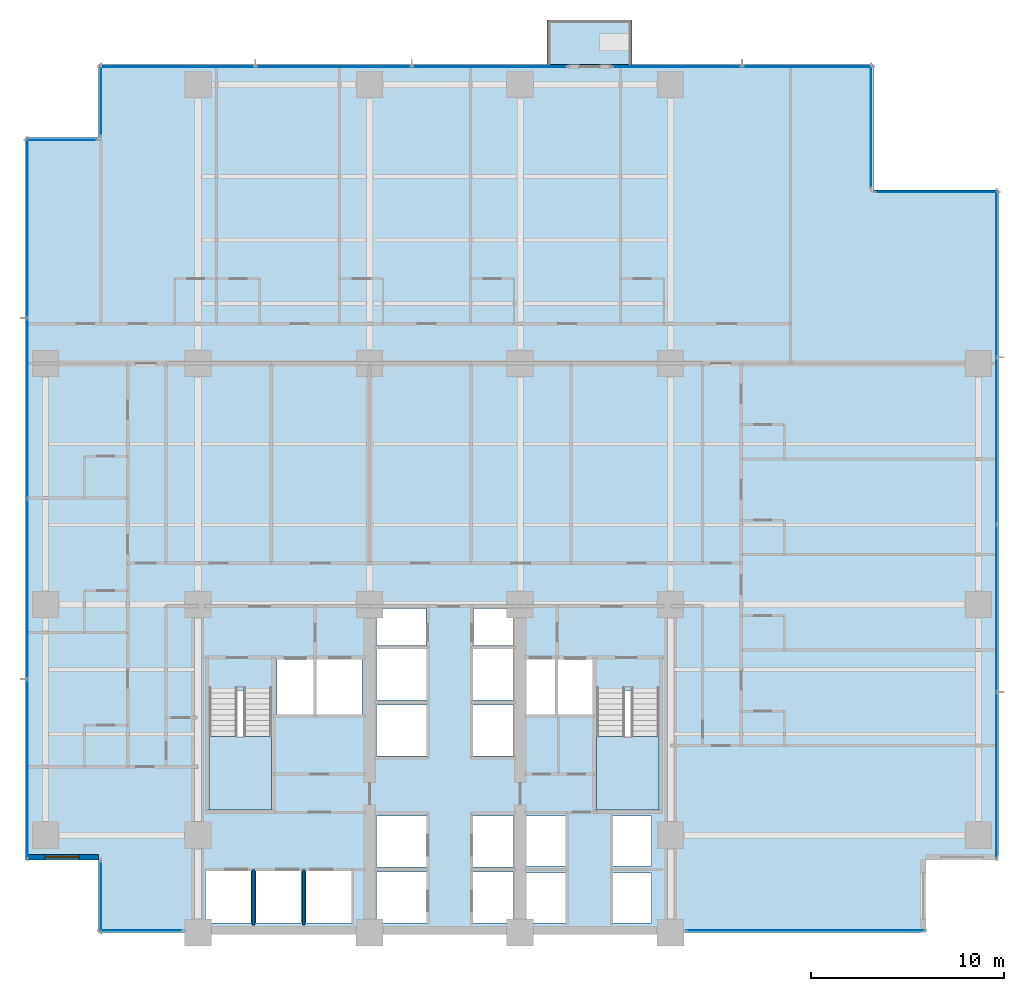
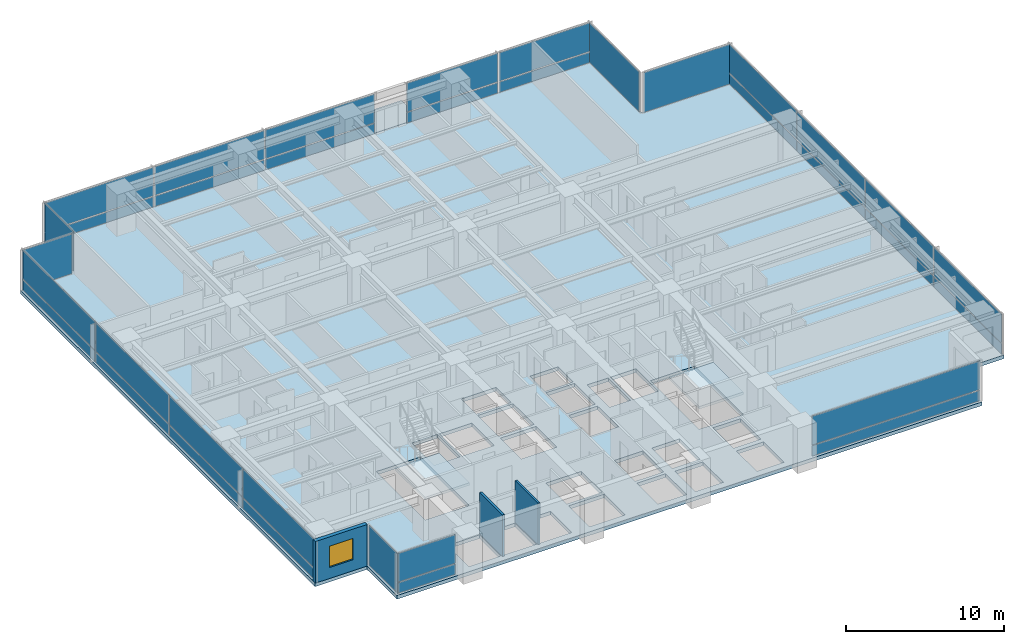
# One storey, part 6 of 17: 35 plates, 4 slabs, 3 walls, 1 window, 1 opening, 13 elements without a shape of their own.
"""IFC4 building model written with IfcOpenShell, lengths in metres."""

from ifc_helpers import new_model, si_unit, direction, frame, frame_2d, origin, origin_2d, place, context, subcontext, project, spatial, polyline, rectangle, outline, extrude, material, layer, layer_set, type_object, element, fill, aggregate, save


model = new_model("IFC4")

# Units and contexts
model_context = context("Model", 3, precision=1e-05, world=origin(), true_north=direction((0.0, 1.0)))
body_context = subcontext(model_context, "Body", "Model", "MODEL_VIEW")
ifc_project = project(units=[si_unit("LENGTHUNIT", "METRE"), si_unit("AREAUNIT", "SQUARE_METRE"), si_unit("VOLUMEUNIT", "CUBIC_METRE"), si_unit("PLANEANGLEUNIT", "RADIAN"), si_unit("MASSUNIT", "GRAM", prefix="KILO")], contexts=[model_context])

# Site, building, storey
site_placement = place(None, origin())
site = spatial("IfcSite", under=ifc_project, at=site_placement, CompositionType="ELEMENT")
building_placement = place(site_placement, origin())
building = spatial("IfcBuilding", under=site, at=building_placement, Name="Qalmaran Belvedere Hotel", CompositionType="ELEMENT")
storey_placement = place(building_placement, frame((0.0, 0.0, 40.39990234375)))
storey = spatial("IfcBuildingStorey", under=building, at=storey_placement, Name="L09", CompositionType="ELEMENT", Elevation=40.39990234375)

# Curtain wall, plate
ifc_material_1 = material(Name="Anodised Bronze Aluminium", Category="aluminium")
ifc_layer_1 = layer(ifc_material_1, 0.2099609375, Name="Anodised Bronze Aluminium")
ifc_layer_set_1 = layer_set([ifc_layer_1], Name="Anodised Bronze Aluminium")
curtain_wall_type = type_object("IfcCurtainWallType", Name="CW2-TOWER-LOWER", PredefinedType="NOTDEFINED", material=ifc_layer_set_1)
curtain_wall_1_placement = place(storey_placement, origin())
curtain_wall_1 = element("IfcCurtainWall", 1, at=curtain_wall_1_placement, inside=storey, type_object=curtain_wall_type, Name="L09 Curtain Wall CW2", PredefinedType="NOTDEFINED")
ifc_material_2 = material(Name="Anodised Bronze Spandrel Panel")
ifc_layer_2 = layer(ifc_material_2, 0.035888671875, Name="Anodised Bronze Spandrel Panel")
ifc_layer_set_2 = layer_set([ifc_layer_2], Name="Anodised Bronze Spandrel Panel")
plate_type_1 = type_object("IfcPlateType", Name="CWP-SPANDREL-36", PredefinedType="CURTAIN_PANEL", material=ifc_layer_set_2)
plate_1_placement = place(storey_placement, frame((17.35498046875, 3.6201171875, 0.0703125), z_axis=(0.0, 0.0, 1.0), x_axis=(1.0, 0.0, 0.0)))
plate_1 = element("IfcPlate", 2, at=plate_1_placement, type_object=plate_type_1, Name="CW2 panel 1.1", PredefinedType="CURTAIN_PANEL", context=body_context, shape_type="SweptSolid", body=[
    extrude(rectangle(XDim=4.260009765625, YDim=0.035888671875, at=origin_2d()), origin(), (0.0, 0.0, 1.0), 0.796630859375),
])

curtain_wall_2_placement = place(storey_placement, origin())
curtain_wall_2 = element("IfcCurtainWall", 3, at=curtain_wall_2_placement, inside=storey, type_object=curtain_wall_type, Name="L09 Curtain Wall CW2", PredefinedType="NOTDEFINED")
plate_2_placement = place(storey_placement, frame((51.77001953125, 3.6201171875, 0.0703125), z_axis=(0.0, 0.0, 1.0), x_axis=(1.0, 0.0, 0.0)))
plate_2 = element("IfcPlate", 4, at=plate_2_placement, type_object=plate_type_1, Name="CW2 panel 1.1", PredefinedType="CURTAIN_PANEL", context=body_context, shape_type="SweptSolid", body=[
    extrude(rectangle(XDim=12.31005859375, YDim=0.035888671875, at=origin_2d()), origin(), (0.0, 0.0, 1.0), 0.796630859375),
])

# Curtain wall, plates
curtain_wall_3_placement = place(storey_placement, origin())
curtain_wall_3 = element("IfcCurtainWall", 5, at=curtain_wall_3_placement, inside=storey, type_object=curtain_wall_type, Name="L09 Curtain Wall CW2", PredefinedType="NOTDEFINED")
plate_3_placement = place(storey_placement, frame((61.679931640625, 11.65625, 0.0703125), z_axis=(0.0, 0.0, 1.0), x_axis=(0.0, 1.0, 0.0)))
plate_3 = element("IfcPlate", 6, at=plate_3_placement, type_object=plate_type_1, Name="CW2 panel 1.1", PredefinedType="CURTAIN_PANEL", context=body_context, shape_type="SweptSolid", body=[
    extrude(rectangle(XDim=8.5625, YDim=0.035888671875, at=origin_2d()), origin(), (0.0, 0.0, 1.0), 0.796630859375),
])
plate_4_placement = place(storey_placement, frame((61.679931640625, 20.3125, 0.0703125), z_axis=(0.0, 0.0, 1.0), x_axis=(0.0, 1.0, 0.0)))
plate_4 = element("IfcPlate", 7, at=plate_4_placement, type_object=plate_type_1, Name="CW2 panel 2.1", PredefinedType="CURTAIN_PANEL", context=body_context, shape_type="SweptSolid", body=[
    extrude(rectangle(XDim=8.60009765625, YDim=0.035888671875, at=origin_2d()), origin(), (0.0, 0.0, 1.0), 0.796630859375),
])
plate_5_placement = place(storey_placement, frame((61.679931640625, 28.987548828125, 0.0703125), z_axis=(0.0, 0.0, 1.0), x_axis=(0.0, 1.0, 0.0)))
plate_5 = element("IfcPlate", 8, at=plate_5_placement, type_object=plate_type_1, Name="CW2 panel 3.1", PredefinedType="CURTAIN_PANEL", context=body_context, shape_type="SweptSolid", body=[
    extrude(rectangle(XDim=8.60009765625, YDim=0.035888671875, at=origin_2d()), origin(), (0.0, 0.0, 1.0), 0.796630859375),
])
plate_6_placement = place(storey_placement, frame((61.679931640625, 37.643798828125, 0.0703125), z_axis=(0.0, 0.0, 1.0), x_axis=(0.0, 1.0, 0.0)))
plate_6 = element("IfcPlate", 9, at=plate_6_placement, type_object=plate_type_1, Name="CW2 panel 4.1", PredefinedType="CURTAIN_PANEL", context=body_context, shape_type="SweptSolid", body=[
    extrude(rectangle(XDim=8.5625, YDim=0.035888671875, at=origin_2d()), origin(), (0.0, 0.0, 1.0), 0.796630859375),
])

curtain_wall_4_placement = place(storey_placement, origin())
curtain_wall_4 = element("IfcCurtainWall", 10, at=curtain_wall_4_placement, inside=storey, type_object=curtain_wall_type, Name="L09 Curtain Wall CW2", PredefinedType="NOTDEFINED")
plate_7_placement = place(storey_placement, frame((35.4228515625, 48.3798828125, 0.0703125), z_axis=(0.0, 0.0, 1.0), x_axis=(-1.0, 0.0, 0.0)))
plate_7 = element("IfcPlate", 11, at=plate_7_placement, type_object=plate_type_1, Name="CW2 panel 1.1", PredefinedType="CURTAIN_PANEL", context=body_context, shape_type="SweptSolid", body=[
    extrude(rectangle(XDim=8.004150390625, YDim=0.035888671875, at=origin_2d()), origin(), (0.0, 0.0, 1.0), 0.796630859375),
])
plate_8_placement = place(storey_placement, frame((27.324951171875, 48.3798828125, 0.0703125), z_axis=(0.0, 0.0, 1.0), x_axis=(-1.0, 0.0, 0.0)))
plate_8 = element("IfcPlate", 12, at=plate_8_placement, type_object=plate_type_1, Name="CW2 panel 2.1", PredefinedType="CURTAIN_PANEL", context=body_context, shape_type="SweptSolid", body=[
    extrude(rectangle(XDim=8.041748046875, YDim=0.035888671875, at=origin_2d()), origin(), (0.0, 0.0, 1.0), 0.796630859375),
])
plate_9_placement = place(storey_placement, frame((19.22705078125, 48.3798828125, 0.0703125), z_axis=(0.0, 0.0, 1.0), x_axis=(-1.0, 0.0, 0.0)))
plate_9 = element("IfcPlate", 13, at=plate_9_placement, type_object=plate_type_1, Name="CW2 panel 3.1", PredefinedType="CURTAIN_PANEL", context=body_context, shape_type="SweptSolid", body=[
    extrude(rectangle(XDim=8.004150390625, YDim=0.035888671875, at=origin_2d()), origin(), (0.0, 0.0, 1.0), 0.796630859375),
])

curtain_wall_5_placement = place(storey_placement, origin())
curtain_wall_5 = element("IfcCurtainWall", 14, at=curtain_wall_5_placement, inside=storey, type_object=curtain_wall_type, Name="L09 Curtain Wall CW2", PredefinedType="NOTDEFINED")
plate_10_placement = place(storey_placement, frame((51.88134765625, 48.3798828125, 0.0703125), z_axis=(0.0, 0.0, 1.0), x_axis=(-1.0, 0.0, 0.0)))
plate_10 = element("IfcPlate", 15, at=plate_10_placement, type_object=plate_type_1, Name="CW2 panel 1.1", PredefinedType="CURTAIN_PANEL", context=body_context, shape_type="SweptSolid", body=[
    extrude(rectangle(XDim=6.6875, YDim=0.035888671875, at=origin_2d()), origin(), (0.0, 0.0, 1.0), 0.796630859375),
])
plate_11_placement = place(storey_placement, frame((45.11865234375, 48.3798828125, 0.0703125), z_axis=(0.0, 0.0, 1.0), x_axis=(-1.0, 0.0, 0.0)))
plate_11 = element("IfcPlate", 16, at=plate_11_placement, type_object=plate_type_1, Name="CW2 panel 2.1", PredefinedType="CURTAIN_PANEL", context=body_context, shape_type="SweptSolid", body=[
    extrude(rectangle(XDim=6.6875, YDim=0.035888671875, at=origin_2d()), origin(), (0.0, 0.0, 1.0), 0.796630859375),
])

curtain_wall_6_placement = place(storey_placement, origin())
curtain_wall_6 = element("IfcCurtainWall", 17, at=curtain_wall_6_placement, inside=storey, type_object=curtain_wall_type, Name="L09 Curtain Wall CW2", PredefinedType="NOTDEFINED")
plate_12_placement = place(storey_placement, frame((11.469970703125, 40.00634765625, 0.0703125), z_axis=(0.0, 0.0, 1.0), x_axis=(0.0, -1.0, 0.0)))
plate_12 = element("IfcPlate", 18, at=plate_12_placement, type_object=plate_type_1, Name="CW2 panel 1.1", PredefinedType="CURTAIN_PANEL", context=body_context, shape_type="SweptSolid", body=[
    extrude(rectangle(XDim=9.237548828125, YDim=0.035888671875, at=origin_2d()), origin(), (0.0, 0.0, 1.0), 0.796630859375),
])
plate_13_placement = place(storey_placement, frame((11.469970703125, 30.675048828125, 0.0703125), z_axis=(0.0, 0.0, 1.0), x_axis=(0.0, -1.0, 0.0)))
plate_13 = element("IfcPlate", 19, at=plate_13_placement, type_object=plate_type_1, Name="CW2 panel 2.1", PredefinedType="CURTAIN_PANEL", context=body_context, shape_type="SweptSolid", body=[
    extrude(rectangle(XDim=9.27490234375, YDim=0.035888671875, at=origin_2d()), origin(), (0.0, 0.0, 1.0), 0.796630859375),
])
plate_14_placement = place(storey_placement, frame((11.469970703125, 21.324951171875, 0.0703125), z_axis=(0.0, 0.0, 1.0), x_axis=(0.0, -1.0, 0.0)))
plate_14 = element("IfcPlate", 20, at=plate_14_placement, type_object=plate_type_1, Name="CW2 panel 3.1", PredefinedType="CURTAIN_PANEL", context=body_context, shape_type="SweptSolid", body=[
    extrude(rectangle(XDim=9.27490234375, YDim=0.035888671875, at=origin_2d()), origin(), (0.0, 0.0, 1.0), 0.796630859375),
])
plate_15_placement = place(storey_placement, frame((11.469970703125, 11.99365234375, 0.0703125), z_axis=(0.0, 0.0, 1.0), x_axis=(0.0, -1.0, 0.0)))
plate_15 = element("IfcPlate", 21, at=plate_15_placement, type_object=plate_type_1, Name="CW2 panel 4.1", PredefinedType="CURTAIN_PANEL", context=body_context, shape_type="SweptSolid", body=[
    extrude(rectangle(XDim=9.237548828125, YDim=0.035888671875, at=origin_2d()), origin(), (0.0, 0.0, 1.0), 0.796630859375),
])

# Plate
ifc_material_3 = material(Name="Solar-Control Double Glazing", Category="glass")
ifc_layer_3 = layer(ifc_material_3, 0.028076171875, Name="Solar-Control Double Glazing")
ifc_layer_set_3 = layer_set([ifc_layer_3], Name="Solar-Control Double Glazing")
plate_type_2 = type_object("IfcPlateType", Name="CWP-VISION-28", PredefinedType="CURTAIN_PANEL", material=ifc_layer_set_3)
plate_16_placement = place(storey_placement, frame((17.35498046875, 3.6201171875, 0.936767578125), z_axis=(0.0, 0.0, 1.0), x_axis=(1.0, 0.0, 0.0)))
plate_16 = element("IfcPlate", 22, at=plate_16_placement, type_object=plate_type_2, Name="CW2 panel 1.2", PredefinedType="CURTAIN_PANEL", context=body_context, shape_type="SweptSolid", body=[
    extrude(rectangle(XDim=4.260009765625, YDim=0.028076171875, at=origin_2d()), origin(), (0.0, 0.0, 1.0), 2.21337890625),
])

aggregate(curtain_wall_1, [plate_1, plate_16])

plate_17_placement = place(storey_placement, frame((51.77001953125, 3.6201171875, 0.936767578125), z_axis=(0.0, 0.0, 1.0), x_axis=(1.0, 0.0, 0.0)))
plate_17 = element("IfcPlate", 23, at=plate_17_placement, type_object=plate_type_2, Name="CW2 panel 1.2", PredefinedType="CURTAIN_PANEL", context=body_context, shape_type="SweptSolid", body=[
    extrude(rectangle(XDim=12.31005859375, YDim=0.028076171875, at=origin_2d()), origin(), (0.0, 0.0, 1.0), 2.21337890625),
])

aggregate(curtain_wall_2, [plate_2, plate_17])

plate_18_placement = place(storey_placement, frame((61.679931640625, 11.65625, 0.936767578125), z_axis=(0.0, 0.0, 1.0), x_axis=(0.0, 1.0, 0.0)))
plate_18 = element("IfcPlate", 24, at=plate_18_placement, type_object=plate_type_2, Name="CW2 panel 1.2", PredefinedType="CURTAIN_PANEL", context=body_context, shape_type="SweptSolid", body=[
    extrude(rectangle(XDim=8.5625, YDim=0.028076171875, at=origin_2d()), origin(), (0.0, 0.0, 1.0), 2.21337890625),
])

plate_19_placement = place(storey_placement, frame((61.679931640625, 20.3125, 0.936767578125), z_axis=(0.0, 0.0, 1.0), x_axis=(0.0, 1.0, 0.0)))
plate_19 = element("IfcPlate", 25, at=plate_19_placement, type_object=plate_type_2, Name="CW2 panel 2.2", PredefinedType="CURTAIN_PANEL", context=body_context, shape_type="SweptSolid", body=[
    extrude(rectangle(XDim=8.60009765625, YDim=0.028076171875, at=origin_2d()), origin(), (0.0, 0.0, 1.0), 2.21337890625),
])

plate_20_placement = place(storey_placement, frame((61.679931640625, 28.987548828125, 0.936767578125), z_axis=(0.0, 0.0, 1.0), x_axis=(0.0, 1.0, 0.0)))
plate_20 = element("IfcPlate", 26, at=plate_20_placement, type_object=plate_type_2, Name="CW2 panel 3.2", PredefinedType="CURTAIN_PANEL", context=body_context, shape_type="SweptSolid", body=[
    extrude(rectangle(XDim=8.60009765625, YDim=0.028076171875, at=origin_2d()), origin(), (0.0, 0.0, 1.0), 2.21337890625),
])

plate_21_placement = place(storey_placement, frame((61.679931640625, 37.643798828125, 0.936767578125), z_axis=(0.0, 0.0, 1.0), x_axis=(0.0, 1.0, 0.0)))
plate_21 = element("IfcPlate", 27, at=plate_21_placement, type_object=plate_type_2, Name="CW2 panel 4.2", PredefinedType="CURTAIN_PANEL", context=body_context, shape_type="SweptSolid", body=[
    extrude(rectangle(XDim=8.5625, YDim=0.028076171875, at=origin_2d()), origin(), (0.0, 0.0, 1.0), 2.21337890625),
])

aggregate(curtain_wall_3, [plate_3, plate_18, plate_4, plate_19, plate_5, plate_20, plate_6, plate_21])

# Curtain wall, plate
curtain_wall_7_placement = place(storey_placement, origin())
curtain_wall_7 = element("IfcCurtainWall", 28, at=curtain_wall_7_placement, inside=storey, type_object=curtain_wall_type, Name="L09 Curtain Wall CW2", PredefinedType="NOTDEFINED")
plate_22_placement = place(storey_placement, frame((58.550048828125, 41.8798828125, 0.070068359375), z_axis=(0.0, 0.0, 1.0), x_axis=(-1.0, 0.0, 0.0)))
plate_22 = element("IfcPlate", 29, at=plate_22_placement, type_object=plate_type_2, Name="CW2 panel 1.1", PredefinedType="CURTAIN_PANEL", context=body_context, shape_type="SweptSolid", body=[
    extrude(rectangle(XDim=6.35009765625, YDim=0.028076171875, at=origin_2d()), origin(), (0.0, 0.0, 1.0), 3.080078125),
])
aggregate(curtain_wall_7, [plate_22])

curtain_wall_8_placement = place(storey_placement, origin())
curtain_wall_8 = element("IfcCurtainWall", 30, at=curtain_wall_8_placement, inside=storey, type_object=curtain_wall_type, Name="L09 Curtain Wall CW2", PredefinedType="NOTDEFINED")
plate_23_placement = place(storey_placement, frame((55.179931640625, 45.25, 0.070068359375), z_axis=(0.0, 0.0, 1.0), x_axis=(0.0, 1.0, 0.0)))
plate_23 = element("IfcPlate", 31, at=plate_23_placement, type_object=plate_type_2, Name="CW2 panel 1.1", PredefinedType="CURTAIN_PANEL", context=body_context, shape_type="SweptSolid", body=[
    extrude(rectangle(XDim=6.35009765625, YDim=0.028076171875, at=origin_2d()), origin(), (0.0, 0.0, 1.0), 3.080078125),
])
aggregate(curtain_wall_8, [plate_23])

# Plate
plate_24_placement = place(storey_placement, frame((35.4228515625, 48.3798828125, 0.936767578125), z_axis=(0.0, 0.0, 1.0), x_axis=(-1.0, 0.0, 0.0)))
plate_24 = element("IfcPlate", 32, at=plate_24_placement, type_object=plate_type_2, Name="CW2 panel 1.2", PredefinedType="CURTAIN_PANEL", context=body_context, shape_type="SweptSolid", body=[
    extrude(rectangle(XDim=8.004150390625, YDim=0.028076171875, at=origin_2d()), origin(), (0.0, 0.0, 1.0), 2.21337890625),
])

plate_25_placement = place(storey_placement, frame((27.324951171875, 48.3798828125, 0.936767578125), z_axis=(0.0, 0.0, 1.0), x_axis=(-1.0, 0.0, 0.0)))
plate_25 = element("IfcPlate", 33, at=plate_25_placement, type_object=plate_type_2, Name="CW2 panel 2.2", PredefinedType="CURTAIN_PANEL", context=body_context, shape_type="SweptSolid", body=[
    extrude(rectangle(XDim=8.041748046875, YDim=0.028076171875, at=origin_2d()), origin(), (0.0, 0.0, 1.0), 2.21337890625),
])

plate_26_placement = place(storey_placement, frame((19.22705078125, 48.3798828125, 0.936767578125), z_axis=(0.0, 0.0, 1.0), x_axis=(-1.0, 0.0, 0.0)))
plate_26 = element("IfcPlate", 34, at=plate_26_placement, type_object=plate_type_2, Name="CW2 panel 3.2", PredefinedType="CURTAIN_PANEL", context=body_context, shape_type="SweptSolid", body=[
    extrude(rectangle(XDim=8.004150390625, YDim=0.028076171875, at=origin_2d()), origin(), (0.0, 0.0, 1.0), 2.21337890625),
])

aggregate(curtain_wall_4, [plate_7, plate_24, plate_8, plate_25, plate_9, plate_26])

plate_27_placement = place(storey_placement, frame((51.88134765625, 48.3798828125, 0.936767578125), z_axis=(0.0, 0.0, 1.0), x_axis=(-1.0, 0.0, 0.0)))
plate_27 = element("IfcPlate", 35, at=plate_27_placement, type_object=plate_type_2, Name="CW2 panel 1.2", PredefinedType="CURTAIN_PANEL", context=body_context, shape_type="SweptSolid", body=[
    extrude(rectangle(XDim=6.6875, YDim=0.028076171875, at=origin_2d()), origin(), (0.0, 0.0, 1.0), 2.21337890625),
])

plate_28_placement = place(storey_placement, frame((45.11865234375, 48.3798828125, 0.936767578125), z_axis=(0.0, 0.0, 1.0), x_axis=(-1.0, 0.0, 0.0)))
plate_28 = element("IfcPlate", 36, at=plate_28_placement, type_object=plate_type_2, Name="CW2 panel 2.2", PredefinedType="CURTAIN_PANEL", context=body_context, shape_type="SweptSolid", body=[
    extrude(rectangle(XDim=6.6875, YDim=0.028076171875, at=origin_2d()), origin(), (0.0, 0.0, 1.0), 2.21337890625),
])

aggregate(curtain_wall_5, [plate_10, plate_27, plate_11, plate_28])

# Curtain wall, plate
curtain_wall_9_placement = place(storey_placement, origin())
curtain_wall_9 = element("IfcCurtainWall", 37, at=curtain_wall_9_placement, inside=storey, type_object=curtain_wall_type, Name="L09 Curtain Wall CW2", PredefinedType="NOTDEFINED")
plate_29_placement = place(storey_placement, frame((15.27001953125, 46.60009765625, 0.070068359375), z_axis=(0.0, 0.0, 1.0), x_axis=(0.0, -1.0, 0.0)))
plate_29 = element("IfcPlate", 38, at=plate_29_placement, type_object=plate_type_2, Name="CW2 panel 1.1", PredefinedType="CURTAIN_PANEL", context=body_context, shape_type="SweptSolid", body=[
    extrude(rectangle(XDim=3.64990234375, YDim=0.028076171875, at=origin_2d()), origin(), (0.0, 0.0, 1.0), 3.080078125),
])
aggregate(curtain_wall_9, [plate_29])

curtain_wall_10_placement = place(storey_placement, origin())
curtain_wall_10 = element("IfcCurtainWall", 39, at=curtain_wall_10_placement, inside=storey, type_object=curtain_wall_type, Name="L09 Curtain Wall CW2", PredefinedType="NOTDEFINED")
plate_30_placement = place(storey_placement, frame((13.25, 44.580078125, 0.070068359375), z_axis=(0.0, 0.0, 1.0), x_axis=(-1.0, 0.0, 0.0)))
plate_30 = element("IfcPlate", 40, at=plate_30_placement, type_object=plate_type_2, Name="CW2 panel 1.1", PredefinedType="CURTAIN_PANEL", context=body_context, shape_type="SweptSolid", body=[
    extrude(rectangle(XDim=3.64990234375, YDim=0.028076171875, at=origin_2d()), origin(), (0.0, 0.0, 1.0), 3.080078125),
])
aggregate(curtain_wall_10, [plate_30])

# Plate
plate_31_placement = place(storey_placement, frame((11.469970703125, 40.00634765625, 0.936767578125), z_axis=(0.0, 0.0, 1.0), x_axis=(0.0, -1.0, 0.0)))
plate_31 = element("IfcPlate", 41, at=plate_31_placement, type_object=plate_type_2, Name="CW2 panel 1.2", PredefinedType="CURTAIN_PANEL", context=body_context, shape_type="SweptSolid", body=[
    extrude(rectangle(XDim=9.237548828125, YDim=0.028076171875, at=origin_2d()), origin(), (0.0, 0.0, 1.0), 2.21337890625),
])

plate_32_placement = place(storey_placement, frame((11.469970703125, 30.675048828125, 0.936767578125), z_axis=(0.0, 0.0, 1.0), x_axis=(0.0, -1.0, 0.0)))
plate_32 = element("IfcPlate", 42, at=plate_32_placement, type_object=plate_type_2, Name="CW2 panel 2.2", PredefinedType="CURTAIN_PANEL", context=body_context, shape_type="SweptSolid", body=[
    extrude(rectangle(XDim=9.27490234375, YDim=0.028076171875, at=origin_2d()), origin(), (0.0, 0.0, 1.0), 2.21337890625),
])

plate_33_placement = place(storey_placement, frame((11.469970703125, 21.324951171875, 0.936767578125), z_axis=(0.0, 0.0, 1.0), x_axis=(0.0, -1.0, 0.0)))
plate_33 = element("IfcPlate", 43, at=plate_33_placement, type_object=plate_type_2, Name="CW2 panel 3.2", PredefinedType="CURTAIN_PANEL", context=body_context, shape_type="SweptSolid", body=[
    extrude(rectangle(XDim=9.27490234375, YDim=0.028076171875, at=origin_2d()), origin(), (0.0, 0.0, 1.0), 2.21337890625),
])

plate_34_placement = place(storey_placement, frame((11.469970703125, 11.99365234375, 0.936767578125), z_axis=(0.0, 0.0, 1.0), x_axis=(0.0, -1.0, 0.0)))
plate_34 = element("IfcPlate", 44, at=plate_34_placement, type_object=plate_type_2, Name="CW2 panel 4.2", PredefinedType="CURTAIN_PANEL", context=body_context, shape_type="SweptSolid", body=[
    extrude(rectangle(XDim=9.237548828125, YDim=0.028076171875, at=origin_2d()), origin(), (0.0, 0.0, 1.0), 2.21337890625),
])

aggregate(curtain_wall_6, [plate_12, plate_31, plate_13, plate_32, plate_14, plate_33, plate_15, plate_34])

# Curtain wall, plate
curtain_wall_11_placement = place(storey_placement, origin())
curtain_wall_11 = element("IfcCurtainWall", 45, at=curtain_wall_11_placement, inside=storey, type_object=curtain_wall_type, Name="L09 Curtain Wall CW2", PredefinedType="NOTDEFINED")
plate_35_placement = place(storey_placement, frame((15.27001953125, 5.39990234375, 0.070068359375), z_axis=(0.0, 0.0, 1.0), x_axis=(0.0, -1.0, 0.0)))
plate_35 = element("IfcPlate", 46, at=plate_35_placement, type_object=plate_type_2, Name="CW2 panel 1.1", PredefinedType="CURTAIN_PANEL", context=body_context, shape_type="SweptSolid", body=[
    extrude(rectangle(XDim=3.64990234375, YDim=0.028076171875, at=origin_2d()), origin(), (0.0, 0.0, 1.0), 3.080078125),
])
aggregate(curtain_wall_11, [plate_35])

# Slab
ifc_material_4 = material(Name="Concrete C40/50", Category="concrete")
ifc_layer_4 = layer(ifc_material_4, 0.219970703125, Name="Concrete C40/50")
ifc_layer_set_4 = layer_set([ifc_layer_4], Name="Concrete C40/50")
slab_type_1 = type_object("IfcSlabType", Name="SLB-BAL-220", PredefinedType="USERDEFINED", material=ifc_layer_set_4)
slab_1_placement = place(storey_placement, frame((0.0, 0.0, -0.219970703125)))
element("IfcSlab", 47, at=slab_1_placement, inside=storey, type_object=slab_type_1, Name="L09 Planted Tree Balcony Slab 1", ObjectType="BALCONY", PredefinedType="USERDEFINED", context=body_context, shape_type="SweptSolid", body=[
    extrude(outline(polyline([(38.39990234375, 48.5), (42.800048828125, 48.5), (42.800048828125, 50.800048828125), (38.39990234375, 50.800048828125), (38.39990234375, 48.5)])), origin(), (0.0, 0.0, 1.0), 0.219970703125),
])

# Stair, slab
stair_type_1 = type_object("IfcStairType", Name="STR-ST-1-1450-R1750", PredefinedType="HALF_TURN_STAIR", material=ifc_material_4)
stair_1_placement = place(storey_placement, origin())
stair_1 = element("IfcStair", 48, at=stair_1_placement, inside=storey, type_object=stair_type_1, Name="L09 West Core Exit Stair ST-1", PredefinedType="HALF_TURN_STAIR")
ifc_layer_5 = layer(ifc_material_4, 0.199951171875, Name="Concrete C40/50")
ifc_layer_set_5 = layer_set([ifc_layer_5], Name="Concrete C40/50")
slab_type_2 = type_object("IfcSlabType", Name="SLB-STAIR-LANDING-200", PredefinedType="LANDING", material=ifc_layer_set_5)
slab_2_placement = place(storey_placement, frame((0.0, 0.0, 1.550048828125)))
slab_2 = element("IfcSlab", 49, at=slab_2_placement, type_object=slab_type_2, Name="ST-1 landing 1", PredefinedType="LANDING", context=body_context, shape_type="SweptSolid", body=[
    extrude(outline(polyline([(20.8798828125, 13.669921875), (20.8798828125, 9.85009765625), (24.1201171875, 9.85009765625), (24.1201171875, 13.669921875), (20.8798828125, 13.669921875)])), origin(), (0.0, 0.0, 1.0), 0.199951171875),
])
aggregate(stair_1, [slab_2])

stair_type_2 = type_object("IfcStairType", Name="STR-ST-2-1450-R1750", PredefinedType="HALF_TURN_STAIR", material=ifc_material_4)
stair_2_placement = place(storey_placement, origin())
stair_2 = element("IfcStair", 50, at=stair_2_placement, inside=storey, type_object=stair_type_2, Name="L09 East Core Exit Stair ST-2", PredefinedType="HALF_TURN_STAIR")
slab_3_placement = place(storey_placement, frame((0.0, 0.0, 1.550048828125)))
slab_3 = element("IfcSlab", 51, at=slab_3_placement, type_object=slab_type_2, Name="ST-2 landing 1", PredefinedType="LANDING", context=body_context, shape_type="SweptSolid", body=[
    extrude(outline(polyline([(40.9599609375, 13.669921875), (40.9599609375, 9.85009765625), (44.199951171875, 9.85009765625), (44.199951171875, 13.669921875), (40.9599609375, 13.669921875)])), origin(), (0.0, 0.0, 1.0), 0.199951171875),
])
aggregate(stair_2, [slab_3])

# Slab
ifc_layer_6 = layer(ifc_material_4, 0.280029296875, Name="Concrete C40/50")
ifc_layer_set_6 = layer_set([ifc_layer_6], Name="Concrete C40/50")
slab_type_3 = type_object("IfcSlabType", Name="SLB-Z1-280", PredefinedType="FLOOR", material=ifc_layer_set_6)
slab_4_placement = place(storey_placement, frame((0.0, 0.0, -0.27978515625)))
element("IfcSlab", 52, at=slab_4_placement, inside=storey, type_object=slab_type_3, Name="L09 Structural Floor Slab", PredefinedType="FLOOR", context=body_context, shape_type="SweptSolid", body=[
    extrude(outline(polyline([(15.14990234375, 3.5), (58.0, 3.5), (58.0, 7.300048828125), (61.800048828125, 7.300048828125), (61.800048828125, 42.0), (55.300048828125, 42.0), (55.300048828125, 48.5), (15.14990234375, 48.5), (15.14990234375, 44.699951171875), (11.35009765625, 44.699951171875), (11.35009765625, 7.300048828125), (15.14990234375, 7.300048828125), (15.14990234375, 3.5)]), holes=[polyline([(20.8798828125, 9.85009765625), (24.1201171875, 9.85009765625), (24.1201171875, 16.0400390625), (20.8798828125, 16.0400390625), (20.8798828125, 9.85009765625)]), polyline([(40.9599609375, 9.85009765625), (44.199951171875, 9.85009765625), (44.199951171875, 16.0400390625), (40.9599609375, 16.0400390625), (40.9599609375, 9.85009765625)]), polyline([(29.544921875, 4.0), (32.14990234375, 4.0), (32.14990234375, 6.64990234375), (29.544921875, 6.64990234375), (29.544921875, 4.0)]), polyline([(29.544921875, 6.89990234375), (32.14990234375, 6.89990234375), (32.14990234375, 9.550048828125), (29.544921875, 9.550048828125), (29.544921875, 6.89990234375)]), polyline([(34.550048828125, 4.0), (36.655029296875, 4.0), (36.655029296875, 6.64990234375), (34.550048828125, 6.64990234375), (34.550048828125, 4.0)]), polyline([(34.550048828125, 6.89990234375), (36.655029296875, 6.89990234375), (36.655029296875, 9.550048828125), (34.550048828125, 9.550048828125), (34.550048828125, 6.89990234375)]), polyline([(29.544921875, 12.64990234375), (32.14990234375, 12.64990234375), (32.14990234375, 15.300048828125), (29.544921875, 15.300048828125), (29.544921875, 12.64990234375)]), polyline([(29.544921875, 15.550048828125), (32.14990234375, 15.550048828125), (32.14990234375, 18.199951171875), (29.544921875, 18.199951171875), (29.544921875, 15.550048828125)]), polyline([(34.550048828125, 12.64990234375), (36.655029296875, 12.64990234375), (36.655029296875, 15.300048828125), (34.550048828125, 15.300048828125), (34.550048828125, 12.64990234375)]), polyline([(34.550048828125, 15.550048828125), (36.655029296875, 15.550048828125), (36.655029296875, 18.199951171875), (34.550048828125, 18.199951171875), (34.550048828125, 15.550048828125)]), polyline([(37.300048828125, 4.0), (39.35009765625, 4.0), (39.35009765625, 6.60009765625), (37.300048828125, 6.60009765625), (37.300048828125, 4.0)]), polyline([(37.300048828125, 6.949951171875), (39.35009765625, 6.949951171875), (39.35009765625, 9.550048828125), (37.300048828125, 9.550048828125), (37.300048828125, 6.949951171875)]), polyline([(41.800048828125, 4.0), (43.800048828125, 4.0), (43.800048828125, 6.60009765625), (41.800048828125, 6.60009765625), (41.800048828125, 4.0)]), polyline([(41.800048828125, 6.949951171875), (43.800048828125, 6.949951171875), (43.800048828125, 9.550048828125), (41.800048828125, 9.550048828125), (41.800048828125, 6.949951171875)]), polyline([(20.699951171875, 4.0), (23.050048828125, 4.0), (23.050048828125, 6.699951171875), (20.699951171875, 6.699951171875), (20.699951171875, 4.0)]), polyline([(23.300048828125, 4.0), (25.64990234375, 4.0), (25.64990234375, 6.699951171875), (23.300048828125, 6.699951171875), (23.300048828125, 4.0)]), polyline([(25.89990234375, 4.0), (28.25, 4.0), (28.25, 6.699951171875), (25.89990234375, 6.699951171875), (25.89990234375, 4.0)]), polyline([(24.39990234375, 14.800048828125), (26.300048828125, 14.800048828125), (26.300048828125, 17.64990234375), (24.39990234375, 17.64990234375), (24.39990234375, 14.800048828125)]), polyline([(38.949951171875, 14.800048828125), (40.820068359375, 14.800048828125), (40.820068359375, 17.64990234375), (38.949951171875, 17.64990234375), (38.949951171875, 14.800048828125)]), polyline([(26.449951171875, 14.800048828125), (28.800048828125, 14.800048828125), (28.800048828125, 17.64990234375), (26.449951171875, 17.64990234375), (26.449951171875, 14.800048828125)]), polyline([(37.25, 14.800048828125), (38.800048828125, 14.800048828125), (38.800048828125, 17.64990234375), (37.25, 17.64990234375), (37.25, 14.800048828125)]), polyline([(29.544921875, 18.3798828125), (32.1201171875, 18.3798828125), (32.1201171875, 20.300048828125), (29.544921875, 20.300048828125), (29.544921875, 18.3798828125)]), polyline([(34.580078125, 18.3798828125), (36.655029296875, 18.3798828125), (36.655029296875, 20.300048828125), (34.580078125, 20.300048828125), (34.580078125, 18.3798828125)])]), origin(), (0.0, 0.0, 1.0), 0.27978515625),
])

# Wall, opening, window
ifc_material_5 = material(Name="Anodised Bronze Cladding")
ifc_layer_7 = layer(ifc_material_5, 0.280029296875, Name="Anodised Bronze Cladding")
ifc_layer_set_7 = layer_set([ifc_layer_7], Name="Anodised Bronze Cladding")
wall_type_1 = type_object("IfcWallType", Name="WL-EXT-BRNZ-280", PredefinedType="SOLIDWALL", material=ifc_layer_set_7)
wall_placement = place(storey_placement, frame((11.35009765625, 7.419921875, 0.0), z_axis=(0.0, 0.0, 1.0), x_axis=(1.0, 0.0, 0.0)))
wall = element("IfcWall", 53, at=wall_placement, inside=storey, type_object=wall_type_1, Name="L09 Corner Notch Wall 10", PredefinedType="SOLIDWALL", context=body_context, shape_type="SweptSolid", body=[
    extrude(rectangle(XDim=3.7998046875, YDim=0.280029296875, at=frame_2d((1.89990234375, 0.0))), origin(), (0.0, 0.0, 1.0), 3.22021484375),
])
opening_placement = place(wall_placement, frame((1.02490234375, 0.0, 0.85009765625)))
opening = element("IfcOpeningElement", 54, at=opening_placement, cuts=wall, Name="Opening W-N17", PredefinedType="OPENING", context=body_context, shape_type="SweptSolid", body=[
    extrude(rectangle(XDim=1.75, YDim=1.64990234375, at=frame_2d((0.875, 0.824951171875))), frame((0.0, 0.14990234375, 0.0), z_axis=(0.0, -1.0, 0.0), x_axis=(1.0, 0.0, 0.0)), (0.0, 0.0, 1.0), 0.300048828125),
])
window_type = type_object("IfcWindowType", Name="WN-NTC-1750X1650", PartitioningType="SINGLE_PANEL", PredefinedType="WINDOW", material=ifc_material_3)
window_placement = place(opening_placement, origin())
window = element("IfcWindow", 55, at=window_placement, inside=storey, type_object=window_type, Name="L09 Corner Notch Window 10", OverallHeight=1.64990234375, OverallWidth=1.75, PartitioningType="SINGLE_PANEL", PredefinedType="WINDOW", context=body_context, shape_type="SweptSolid", body=[
    extrude(rectangle(XDim=1.75, YDim=1.64990234375, at=frame_2d((0.875, 0.824951171875))), frame((0.0, 0.030029296875, 0.0), z_axis=(0.0, -1.0, 0.0), x_axis=(1.0, 0.0, 0.0)), (0.0, 0.0, 1.0), 0.06005859375),
])
fill(opening, window)

# Walls
ifc_material_6 = material(Name="Gypsum Stud Partition")
ifc_layer_8 = layer(ifc_material_6, 0.14990234375, Name="Gypsum Stud Partition")
ifc_layer_set_8 = layer_set([ifc_layer_8], Name="Gypsum Stud Partition")
wall_type_2 = type_object("IfcWallType", Name="WL-INT-150-EI120", PredefinedType="PARTITIONING", material=ifc_layer_set_8)
for number, where, z_axis, x_axis, name in (
    (56, (23.179931640625, 3.89990234375, 0.0), (0.0, 0.0, 1.0), (0.0, 1.0, 0.0), "L09 Partition WL-POM1-L09"),
    (57, (25.780029296875, 3.89990234375, 0.0), (0.0, 0.0, 1.0), (0.0, 1.0, 0.0), "L09 Partition WL-POM2-L09"),
):
    element("IfcWall", number, at=place(storey_placement, frame(where, z_axis=z_axis, x_axis=x_axis)), inside=storey, type_object=wall_type_2, Name=name, PredefinedType="PARTITIONING", context=body_context, shape_type="SweptSolid", body=[
        extrude(rectangle(XDim=2.880126953125, YDim=0.14990234375, at=frame_2d((1.43994140625, 0.0))), origin(), (0.0, 0.0, 1.0), 3.22021484375),
    ])

save(model, "model.ifc")
